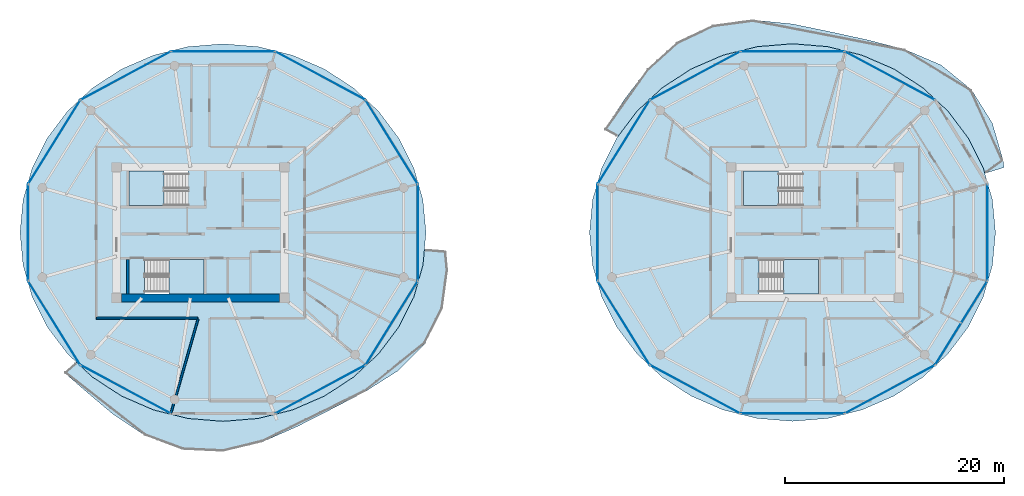
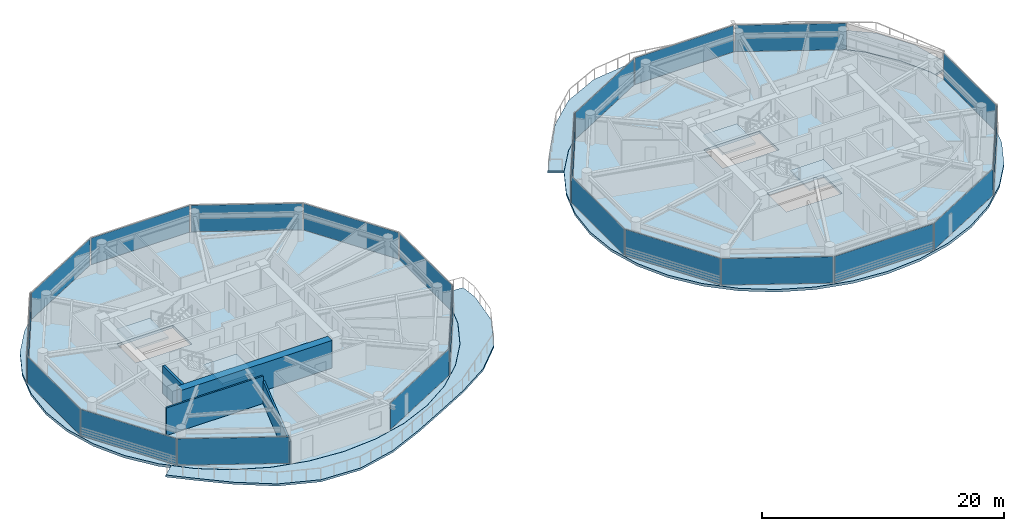
# One storey, part 12 of 24: 22 plates, 8 slabs, 4 walls, 26 elements without a shape of their own.
"""IFC4 building model written with IfcOpenShell, lengths in metres."""

from ifc_helpers import new_model, si_unit, direction, frame, frame_2d, origin, origin_2d, place, context, subcontext, project, spatial, polyline, rectangle, outline, extrude, source, transform, mapped, material, layer, layer_set, type_object, type_shapes, element, aggregate, save


model = new_model("IFC4")

# Units and contexts
model_context = context("Model", 3, precision=1e-05, world=origin(), true_north=direction((0.0, 1.0)))
body_context = subcontext(model_context, "Body", "Model", "MODEL_VIEW")
ifc_project = project(units=[si_unit("LENGTHUNIT", "METRE"), si_unit("AREAUNIT", "SQUARE_METRE"), si_unit("VOLUMEUNIT", "CUBIC_METRE"), si_unit("PLANEANGLEUNIT", "RADIAN"), si_unit("MASSUNIT", "GRAM", prefix="KILO")], contexts=[model_context])

# Site, building, storey
site_placement = place(None, origin())
site = spatial("IfcSite", under=ifc_project, at=site_placement, CompositionType="ELEMENT")
building_placement = place(site_placement, origin())
building = spatial("IfcBuilding", under=site, at=building_placement, Name="Norrkilde Senior Care Towers", CompositionType="ELEMENT")
storey_placement = place(building_placement, frame((0.0, 0.0, 117.60009765625)))
storey = spatial("IfcBuildingStorey", under=building, at=storey_placement, Name="L36", CompositionType="ELEMENT", Elevation=117.60009765625)

# Slabs
ifc_material_1 = material(Name="Concrete C50/60", Category="concrete")
ifc_layer_1 = layer(ifc_material_1, 0.215087890625)
ifc_layer_set_1 = layer_set([ifc_layer_1], Name="Concrete C50/60")
slab_type_1 = type_object("IfcSlabType", Name="Sinusoidal Balcony Ribbon Slab 215", PredefinedType="FLOOR", material=ifc_layer_set_1)
slab_1_placement = place(storey_placement, frame((0.0, 0.0, -0.215087890625)))
element("IfcSlab", 1, at=slab_1_placement, inside=storey, type_object=slab_type_1, Name="L36 Drum W Swirling Senior Balcony 1", PredefinedType="FLOOR", context=body_context, shape_type="SweptSolid", body=[
    extrude(outline(polyline([(-7.521728515625, -10.094482421875), (-10.0419921875, -12.622802734375), (-13.017822265625, -14.509765625), (-16.0595703125, -16.0888671875), (-19.1201171875, -17.6474609375), (-22.385009765625, -19.089111328125), (-25.949951171875, -19.951904296875), (-29.6279296875, -19.77783203125), (-33.0673828125, -18.497314453125), (-36.055908203125, -16.490234375), (-38.6904296875, -14.26416015625), (-40.405029296875, -12.76416015625), (-39.321044921875, -11.80712890625), (-37.8447265625, -13.1796875), (-35.202392578125, -14.89990234375), (-32.279052734375, -16.16748046875), (-29.163330078125, -16.943603515625), (-25.949951171875, -17.205078125), (-22.736572265625, -16.943603515625), (-19.620849609375, -16.16748046875), (-16.697509765625, -14.89990234375), (-14.05517578125, -13.1796875), (-11.7744140625, -11.05908203125), (-9.92431640625, -8.6025390625), (-8.56103515625, -5.884521484375), (-7.72607421875, -2.987548828125), (-7.588134765625, -1.521240234375), (-5.6220703125, -1.68408203125), (-5.458984375, -3.417724609375), (-5.938232421875, -6.911376953125), (-7.521728515625, -10.094482421875)])), origin(), (0.0, 0.0, 1.0), 0.215087890625),
])
slab_2_placement = place(storey_placement, frame((0.0, 0.0, -0.215087890625)))
element("IfcSlab", 2, at=slab_2_placement, inside=storey, type_object=slab_type_1, Name="L36 Drum E Swirling Senior Balcony 1", PredefinedType="FLOOR", context=body_context, shape_type="SweptSolid", body=[
    extrude(outline(polyline([(12.718017578125, 14.89404296875), (15.3984375, 17.3203125), (18.700439453125, 18.887939453125), (22.3388671875, 19.370849609375), (25.949951171875, 19.009765625), (29.3857421875, 18.300537109375), (32.752685546875, 17.56689453125), (36.166748046875, 16.696533203125), (39.479736328125, 15.27587890625), (42.273193359375, 12.99755859375), (44.163818359375, 9.96142578125), (45.138427734375, 6.589111328125), (45.22412109375, 5.93017578125), (43.48046875, 5.393798828125), (43.339111328125, 5.884521484375), (41.975830078125, 8.6025390625), (40.125732421875, 11.05908203125), (37.8447265625, 13.1796875), (35.202392578125, 14.89990234375), (32.279052734375, 16.16748046875), (29.163330078125, 16.943603515625), (25.949951171875, 17.205078125), (22.736572265625, 16.943603515625), (19.620849609375, 16.16748046875), (16.697509765625, 14.89990234375), (14.05517578125, 13.1796875), (11.7744140625, 11.05908203125), (10.009033203125, 8.715087890625), (8.813720703125, 9.36865234375), (10.614501953125, 12.106201171875), (12.718017578125, 14.89404296875)])), origin(), (0.0, 0.0, 1.0), 0.215087890625),
])

# Stair, slab
ifc_material_2 = material(Name="Concrete C45/55", Category="concrete")
stair_type = type_object("IfcStairType", Name="Core Protected Dogleg Stair Typical 3050", PredefinedType="HALF_TURN_STAIR", material=ifc_material_2)
stair_1_placement = place(storey_placement, origin())
stair_1 = element("IfcStair", 3, at=stair_1_placement, inside=storey, type_object=stair_type, Name="L36 Protected Core Stair W1", PredefinedType="HALF_TURN_STAIR")
ifc_layer_2 = layer(ifc_material_2, 0.199951171875)
ifc_layer_set_2 = layer_set([ifc_layer_2], Name="Concrete C45/55")
slab_type_2 = type_object("IfcSlabType", Name="Stair Landing Slab 200", PredefinedType="LANDING", material=ifc_layer_set_2)
slab_3_placement = place(storey_placement, frame((0.0, 0.0, 1.324951171875)))
slab_3 = element("IfcSlab", 4, at=slab_3_placement, type_object=slab_type_2, Name="ST-W1 landing 1", PredefinedType="LANDING", context=body_context, shape_type="SweptSolid", body=[
    extrude(outline(polyline([(-31.340087890625, 5.590087890625), (-34.5, 5.590087890625), (-34.5, 2.449951171875), (-31.340087890625, 2.449951171875), (-31.340087890625, 5.590087890625)])), origin(), (0.0, 0.0, 1.0), 0.199951171875),
])
aggregate(stair_1, [slab_3])

stair_2_placement = place(storey_placement, origin())
stair_2 = element("IfcStair", 5, at=stair_2_placement, inside=storey, type_object=stair_type, Name="L36 Protected Core Stair W2", PredefinedType="HALF_TURN_STAIR")
slab_4_placement = place(storey_placement, frame((0.0, 0.0, 1.324951171875)))
slab_4 = element("IfcSlab", 6, at=slab_4_placement, type_object=slab_type_2, Name="ST-W2 landing 1", PredefinedType="LANDING", context=body_context, shape_type="SweptSolid", body=[
    extrude(outline(polyline([(-30.860107421875, -5.590087890625), (-27.699951171875, -5.590087890625), (-27.699951171875, -2.449951171875), (-30.860107421875, -2.449951171875), (-30.860107421875, -5.590087890625)])), origin(), (0.0, 0.0, 1.0), 0.199951171875),
])
aggregate(stair_2, [slab_4])

stair_3_placement = place(storey_placement, origin())
stair_3 = element("IfcStair", 7, at=stair_3_placement, inside=storey, type_object=stair_type, Name="L36 Protected Core Stair E1", PredefinedType="HALF_TURN_STAIR")
slab_5_placement = place(storey_placement, frame((0.0, 0.0, 1.324951171875)))
slab_5 = element("IfcSlab", 8, at=slab_5_placement, type_object=slab_type_2, Name="ST-E1 landing 1", PredefinedType="LANDING", context=body_context, shape_type="SweptSolid", body=[
    extrude(outline(polyline([(24.659912109375, 5.590087890625), (21.5, 5.590087890625), (21.5, 2.449951171875), (24.659912109375, 2.449951171875), (24.659912109375, 5.590087890625)])), origin(), (0.0, 0.0, 1.0), 0.199951171875),
])
aggregate(stair_3, [slab_5])

stair_4_placement = place(storey_placement, origin())
stair_4 = element("IfcStair", 9, at=stair_4_placement, inside=storey, type_object=stair_type, Name="L36 Protected Core Stair E2", PredefinedType="HALF_TURN_STAIR")
slab_6_placement = place(storey_placement, frame((0.0, 0.0, 1.324951171875)))
slab_6 = element("IfcSlab", 10, at=slab_6_placement, type_object=slab_type_2, Name="ST-E2 landing 1", PredefinedType="LANDING", context=body_context, shape_type="SweptSolid", body=[
    extrude(outline(polyline([(25.139892578125, -5.590087890625), (28.300048828125, -5.590087890625), (28.300048828125, -2.449951171875), (25.139892578125, -2.449951171875), (25.139892578125, -5.590087890625)])), origin(), (0.0, 0.0, 1.0), 0.199951171875),
])
aggregate(stair_4, [slab_6])

# Slabs
ifc_layer_3 = layer(ifc_material_1, 0.260009765625)
ifc_layer_set_3 = layer_set([ifc_layer_3], Name="Concrete C50/60")
slab_type_3 = type_object("IfcSlabType", Name="Tower Care Floor Slab 260", PredefinedType="FLOOR", material=ifc_layer_set_3)
slab_7_placement = place(storey_placement, frame((0.0, 0.0, -0.260009765625)))
element("IfcSlab", 11, at=slab_7_placement, inside=storey, type_object=slab_type_3, Name="L36 Drum W Structural Floor Slab", PredefinedType="FLOOR", context=body_context, shape_type="SweptSolid", body=[
    extrude(outline(polyline([(-8.565673828125, -5.8828125), (-9.928466796875, -8.60009765625), (-11.778076171875, -11.055908203125), (-14.058349609375, -13.176025390625), (-16.699951171875, -14.895751953125), (-19.62255859375, -16.16259765625), (-22.737548828125, -16.938720703125), (-25.949951171875, -17.199951171875), (-29.16259765625, -16.938720703125), (-32.27734375, -16.16259765625), (-35.199951171875, -14.895751953125), (-37.841552734375, -13.176025390625), (-40.121826171875, -11.055908203125), (-41.971435546875, -8.60009765625), (-43.334228515625, -5.8828125), (-44.1689453125, -2.98681640625), (-44.449951171875, 0.0), (-44.1689453125, 2.98681640625), (-43.334228515625, 5.8828125), (-41.971435546875, 8.60009765625), (-40.121826171875, 11.055908203125), (-37.841552734375, 13.176025390625), (-35.199951171875, 14.895751953125), (-32.27734375, 16.16259765625), (-29.16259765625, 16.938720703125), (-25.949951171875, 17.199951171875), (-22.737548828125, 16.938720703125), (-19.62255859375, 16.16259765625), (-16.699951171875, 14.895751953125), (-14.058349609375, 13.176025390625), (-11.778076171875, 11.055908203125), (-9.928466796875, 8.60009765625), (-8.565673828125, 5.8828125), (-7.73095703125, 2.98681640625), (-7.449951171875, 0.0), (-7.73095703125, -2.98681640625), (-8.565673828125, -5.8828125)]), holes=[polyline([(-34.48193359375, 2.468017578125), (-29.117919921875, 2.468017578125), (-29.117919921875, 5.590087890625), (-34.48193359375, 5.590087890625), (-34.48193359375, 2.468017578125)]), polyline([(-27.718017578125, -5.590087890625), (-27.718017578125, -2.468017578125), (-33.08203125, -2.468017578125), (-33.08203125, -5.590087890625), (-27.718017578125, -5.590087890625)])]), origin(), (0.0, 0.0, 1.0), 0.260009765625),
])
slab_8_placement = place(storey_placement, frame((0.0, 0.0, -0.260009765625)))
element("IfcSlab", 12, at=slab_8_placement, inside=storey, type_object=slab_type_3, Name="L36 Drum E Structural Floor Slab", PredefinedType="FLOOR", context=body_context, shape_type="SweptSolid", body=[
    extrude(outline(polyline([(43.334228515625, -5.8828125), (41.971435546875, -8.60009765625), (40.121826171875, -11.055908203125), (37.841552734375, -13.176025390625), (35.199951171875, -14.895751953125), (32.27734375, -16.16259765625), (29.16259765625, -16.938720703125), (25.949951171875, -17.199951171875), (22.737548828125, -16.938720703125), (19.62255859375, -16.16259765625), (16.699951171875, -14.895751953125), (14.058349609375, -13.176025390625), (11.778076171875, -11.055908203125), (9.928466796875, -8.60009765625), (8.565673828125, -5.8828125), (7.73095703125, -2.98681640625), (7.449951171875, 0.0), (7.73095703125, 2.98681640625), (8.565673828125, 5.8828125), (9.928466796875, 8.60009765625), (11.778076171875, 11.055908203125), (14.058349609375, 13.176025390625), (16.699951171875, 14.895751953125), (19.62255859375, 16.16259765625), (22.737548828125, 16.938720703125), (25.949951171875, 17.199951171875), (29.16259765625, 16.938720703125), (32.27734375, 16.16259765625), (35.199951171875, 14.895751953125), (37.841552734375, 13.176025390625), (40.121826171875, 11.055908203125), (41.971435546875, 8.60009765625), (43.334228515625, 5.8828125), (44.1689453125, 2.98681640625), (44.449951171875, 0.0), (44.1689453125, -2.98681640625), (43.334228515625, -5.8828125)]), holes=[polyline([(21.51806640625, 2.468017578125), (26.882080078125, 2.468017578125), (26.882080078125, 5.590087890625), (21.51806640625, 5.590087890625), (21.51806640625, 2.468017578125)]), polyline([(28.281982421875, -5.590087890625), (28.281982421875, -2.468017578125), (22.91796875, -2.468017578125), (22.91796875, -5.590087890625), (28.281982421875, -5.590087890625)])]), origin(), (0.0, 0.0, 1.0), 0.260009765625),
])

# Curtain wall, plate
ifc_material_3 = material(Name="Triple Low-E Insulated Glazing", Category="glass")
ifc_layer_4 = layer(ifc_material_3, 0.195068359375)
ifc_layer_set_4 = layer_set([ifc_layer_4], Name="Triple Low-E Insulated Glazing")
curtain_wall_type = type_object("IfcCurtainWallType", Name="CW3 Zone 2 Assisted Living Curtain Wall", PredefinedType="NOTDEFINED", material=ifc_layer_set_4)
curtain_wall_1_placement = place(storey_placement, origin())
curtain_wall_1 = element("IfcCurtainWall", 13, at=curtain_wall_1_placement, inside=storey, type_object=curtain_wall_type, Name="L36 Drum W Curtain Wall 00", PredefinedType="NOTDEFINED")
ifc_layer_5 = layer(ifc_material_3, 0.035888671875)
ifc_layer_set_5 = layer_set([ifc_layer_5], Name="Triple Low-E Insulated Glazing")
plate_type = type_object("IfcPlateType", Name="Triple Low-E Vision Curtain Panel 36", PredefinedType="CURTAIN_PANEL", material=ifc_layer_set_5)
shared_shape_1 = source(origin(), body_context, "Body", "SweptSolid", [
    extrude(rectangle(XDim=8.88427734375, YDim=0.035888671875, at=origin_2d()), origin(), (0.0, 0.0, 1.0), 2.669921875),
])
plate_1_placement = place(storey_placement, frame((-10.574951171875, 8.2490234375, 0.06005859375), z_axis=(0.0, 0.0, 1.0), x_axis=(0.527733228002, -0.849410171862, 0.0)))
plate_1 = element("IfcPlate", 14, at=plate_1_placement, type_object=plate_type, Name="CW-3 panel 1.1", PredefinedType="CURTAIN_PANEL", context=body_context, shape_type="MappedRepresentation", body=[
    mapped(shared_shape_1, transform((0.0, 0.0, 0.0), x_axis=(1.0, 0.0, 0.0), y_axis=(0.0, 1.0, 0.0), z_axis=(0.0, 0.0, 1.0), scale=1.0)),
])
aggregate(curtain_wall_1, [plate_1])

curtain_wall_2_placement = place(storey_placement, origin())
curtain_wall_2 = element("IfcCurtainWall", 15, at=curtain_wall_2_placement, inside=storey, type_object=curtain_wall_type, Name="L36 Drum W Curtain Wall 04", PredefinedType="NOTDEFINED")
plate_2_placement = place(storey_placement, frame((-41.3251953125, 8.2490234375, 0.06005859375), z_axis=(0.0, 0.0, 1.0), x_axis=(0.527733228002, 0.849410171862, 0.0)))
plate_2 = element("IfcPlate", 16, at=plate_2_placement, type_object=plate_type, Name="CW-3 panel 1.1", PredefinedType="CURTAIN_PANEL", context=body_context, shape_type="MappedRepresentation", body=[
    mapped(shared_shape_1, transform((0.0, 0.0, 0.0), x_axis=(1.0, 0.0, 0.0), y_axis=(0.0, 1.0, 0.0), z_axis=(0.0, 0.0, 1.0), scale=1.0)),
])
aggregate(curtain_wall_2, [plate_2])

curtain_wall_3_placement = place(storey_placement, origin())
curtain_wall_3 = element("IfcCurtainWall", 17, at=curtain_wall_3_placement, inside=storey, type_object=curtain_wall_type, Name="L36 Drum W Curtain Wall 06", PredefinedType="NOTDEFINED")
plate_3_placement = place(storey_placement, frame((-41.3251953125, -8.2490234375, 0.06005859375), z_axis=(0.0, 0.0, 1.0), x_axis=(-0.527733228002, 0.849410171862, 0.0)))
plate_3 = element("IfcPlate", 18, at=plate_3_placement, type_object=plate_type, Name="CW-3 panel 1.1", PredefinedType="CURTAIN_PANEL", context=body_context, shape_type="MappedRepresentation", body=[
    mapped(shared_shape_1, transform((0.0, 0.0, 0.0), x_axis=(1.0, 0.0, 0.0), y_axis=(0.0, 1.0, 0.0), z_axis=(0.0, 0.0, 1.0), scale=1.0)),
])
aggregate(curtain_wall_3, [plate_3])

curtain_wall_4_placement = place(storey_placement, origin())
curtain_wall_4 = element("IfcCurtainWall", 19, at=curtain_wall_4_placement, inside=storey, type_object=curtain_wall_type, Name="L36 Drum W Curtain Wall 10", PredefinedType="NOTDEFINED")
plate_4_placement = place(storey_placement, frame((-10.574951171875, -8.2490234375, 0.06005859375), z_axis=(0.0, 0.0, 1.0), x_axis=(-0.527733228002, -0.849410171862, 0.0)))
plate_4 = element("IfcPlate", 20, at=plate_4_placement, type_object=plate_type, Name="CW-3 panel 1.1", PredefinedType="CURTAIN_PANEL", context=body_context, shape_type="MappedRepresentation", body=[
    mapped(shared_shape_1, transform((0.0, 0.0, 0.0), x_axis=(1.0, 0.0, 0.0), y_axis=(0.0, 1.0, 0.0), z_axis=(0.0, 0.0, 1.0), scale=1.0)),
])
aggregate(curtain_wall_4, [plate_4])

curtain_wall_5_placement = place(storey_placement, origin())
curtain_wall_5 = element("IfcCurtainWall", 21, at=curtain_wall_5_placement, inside=storey, type_object=curtain_wall_type, Name="L36 Drum E Curtain Wall 04", PredefinedType="NOTDEFINED")
plate_5_placement = place(storey_placement, frame((10.574951171875, 8.2490234375, 0.06005859375), z_axis=(0.0, 0.0, 1.0), x_axis=(0.527733228002, 0.849410171862, 0.0)))
plate_5 = element("IfcPlate", 22, at=plate_5_placement, type_object=plate_type, Name="CW-3 panel 1.1", PredefinedType="CURTAIN_PANEL", context=body_context, shape_type="MappedRepresentation", body=[
    mapped(shared_shape_1, transform((0.0, 0.0, 0.0), x_axis=(1.0, 0.0, 0.0), y_axis=(0.0, 1.0, 0.0), z_axis=(0.0, 0.0, 1.0), scale=1.0)),
])
aggregate(curtain_wall_5, [plate_5])

curtain_wall_6_placement = place(storey_placement, origin())
curtain_wall_6 = element("IfcCurtainWall", 23, at=curtain_wall_6_placement, inside=storey, type_object=curtain_wall_type, Name="L36 Drum E Curtain Wall 06", PredefinedType="NOTDEFINED")
plate_6_placement = place(storey_placement, frame((10.574951171875, -8.2490234375, 0.06005859375), z_axis=(0.0, 0.0, 1.0), x_axis=(-0.527733228002, 0.849410171862, 0.0)))
plate_6 = element("IfcPlate", 24, at=plate_6_placement, type_object=plate_type, Name="CW-3 panel 1.1", PredefinedType="CURTAIN_PANEL", context=body_context, shape_type="MappedRepresentation", body=[
    mapped(shared_shape_1, transform((0.0, 0.0, 0.0), x_axis=(1.0, 0.0, 0.0), y_axis=(0.0, 1.0, 0.0), z_axis=(0.0, 0.0, 1.0), scale=1.0)),
])
aggregate(curtain_wall_6, [plate_6])

curtain_wall_7_placement = place(storey_placement, origin())
curtain_wall_7 = element("IfcCurtainWall", 25, at=curtain_wall_7_placement, inside=storey, type_object=curtain_wall_type, Name="L36 Drum E Curtain Wall 10", PredefinedType="NOTDEFINED")
plate_7_placement = place(storey_placement, frame((41.3251953125, -8.2490234375, 0.06005859375), z_axis=(0.0, 0.0, 1.0), x_axis=(-0.527733228002, -0.849410171862, 0.0)))
plate_7 = element("IfcPlate", 26, at=plate_7_placement, type_object=plate_type, Name="CW-3 panel 1.1", PredefinedType="CURTAIN_PANEL", context=body_context, shape_type="MappedRepresentation", body=[
    mapped(shared_shape_1, transform((0.0, 0.0, 0.0), x_axis=(1.0, 0.0, 0.0), y_axis=(0.0, 1.0, 0.0), z_axis=(0.0, 0.0, 1.0), scale=1.0)),
])
aggregate(curtain_wall_7, [plate_7])

curtain_wall_8_placement = place(storey_placement, origin())
curtain_wall_8 = element("IfcCurtainWall", 27, at=curtain_wall_8_placement, inside=storey, type_object=curtain_wall_type, Name="L36 Drum W Curtain Wall 01", PredefinedType="NOTDEFINED")
shared_shape_2 = source(origin(), body_context, "Body", "SweptSolid", [
    extrude(rectangle(XDim=9.220458984375, YDim=0.035888671875, at=origin_2d()), origin(), (0.0, 0.0, 1.0), 2.669921875),
])
plate_8_placement = place(storey_placement, frame((-17.0732421875, 14.28759765625, 0.06005859375), z_axis=(0.0, 0.0, 1.0), x_axis=(0.881186184668, -0.472769402511, 0.0)))
plate_8 = element("IfcPlate", 28, at=plate_8_placement, type_object=plate_type, Name="CW-3 panel 1.1", PredefinedType="CURTAIN_PANEL", context=body_context, shape_type="MappedRepresentation", body=[
    mapped(shared_shape_2, transform((0.0, 0.0, 0.0), x_axis=(1.0, 0.0, 0.0), y_axis=(0.0, 1.0, 0.0), z_axis=(0.0, 0.0, 1.0), scale=1.0)),
])
aggregate(curtain_wall_8, [plate_8])

curtain_wall_9_placement = place(storey_placement, origin())
curtain_wall_9 = element("IfcCurtainWall", 29, at=curtain_wall_9_placement, inside=storey, type_object=curtain_wall_type, Name="L36 Drum W Curtain Wall 03", PredefinedType="NOTDEFINED")
plate_9_placement = place(storey_placement, frame((-34.826904296875, 14.28759765625, 0.06005859375), z_axis=(0.0, 0.0, 1.0), x_axis=(0.881186184668, 0.472769402511, 0.0)))
plate_9 = element("IfcPlate", 30, at=plate_9_placement, type_object=plate_type, Name="CW-3 panel 1.1", PredefinedType="CURTAIN_PANEL", context=body_context, shape_type="MappedRepresentation", body=[
    mapped(shared_shape_2, transform((0.0, 0.0, 0.0), x_axis=(1.0, 0.0, 0.0), y_axis=(0.0, 1.0, 0.0), z_axis=(0.0, 0.0, 1.0), scale=1.0)),
])
aggregate(curtain_wall_9, [plate_9])

curtain_wall_10_placement = place(storey_placement, origin())
curtain_wall_10 = element("IfcCurtainWall", 31, at=curtain_wall_10_placement, inside=storey, type_object=curtain_wall_type, Name="L36 Drum W Curtain Wall 07", PredefinedType="NOTDEFINED")
plate_10_placement = place(storey_placement, frame((-34.826904296875, -14.28759765625, 0.06005859375), z_axis=(0.0, 0.0, 1.0), x_axis=(-0.881186184668, 0.472769402511, 0.0)))
plate_10 = element("IfcPlate", 32, at=plate_10_placement, type_object=plate_type, Name="CW-3 panel 1.1", PredefinedType="CURTAIN_PANEL", context=body_context, shape_type="MappedRepresentation", body=[
    mapped(shared_shape_2, transform((0.0, 0.0, 0.0), x_axis=(1.0, 0.0, 0.0), y_axis=(0.0, 1.0, 0.0), z_axis=(0.0, 0.0, 1.0), scale=1.0)),
])
aggregate(curtain_wall_10, [plate_10])

curtain_wall_11_placement = place(storey_placement, origin())
curtain_wall_11 = element("IfcCurtainWall", 33, at=curtain_wall_11_placement, inside=storey, type_object=curtain_wall_type, Name="L36 Drum W Curtain Wall 09", PredefinedType="NOTDEFINED")
plate_11_placement = place(storey_placement, frame((-17.0732421875, -14.28759765625, 0.06005859375), z_axis=(0.0, 0.0, 1.0), x_axis=(-0.881186184668, -0.472769402511, 0.0)))
plate_11 = element("IfcPlate", 34, at=plate_11_placement, type_object=plate_type, Name="CW-3 panel 1.1", PredefinedType="CURTAIN_PANEL", context=body_context, shape_type="MappedRepresentation", body=[
    mapped(shared_shape_2, transform((0.0, 0.0, 0.0), x_axis=(1.0, 0.0, 0.0), y_axis=(0.0, 1.0, 0.0), z_axis=(0.0, 0.0, 1.0), scale=1.0)),
])
aggregate(curtain_wall_11, [plate_11])

curtain_wall_12_placement = place(storey_placement, origin())
curtain_wall_12 = element("IfcCurtainWall", 35, at=curtain_wall_12_placement, inside=storey, type_object=curtain_wall_type, Name="L36 Drum E Curtain Wall 01", PredefinedType="NOTDEFINED")
plate_12_placement = place(storey_placement, frame((34.826904296875, 14.28759765625, 0.06005859375), z_axis=(0.0, 0.0, 1.0), x_axis=(0.881186184668, -0.472769402511, 0.0)))
plate_12 = element("IfcPlate", 36, at=plate_12_placement, type_object=plate_type, Name="CW-3 panel 1.1", PredefinedType="CURTAIN_PANEL", context=body_context, shape_type="MappedRepresentation", body=[
    mapped(shared_shape_2, transform((0.0, 0.0, 0.0), x_axis=(1.0, 0.0, 0.0), y_axis=(0.0, 1.0, 0.0), z_axis=(0.0, 0.0, 1.0), scale=1.0)),
])
aggregate(curtain_wall_12, [plate_12])

curtain_wall_13_placement = place(storey_placement, origin())
curtain_wall_13 = element("IfcCurtainWall", 37, at=curtain_wall_13_placement, inside=storey, type_object=curtain_wall_type, Name="L36 Drum E Curtain Wall 03", PredefinedType="NOTDEFINED")
plate_13_placement = place(storey_placement, frame((17.0732421875, 14.28759765625, 0.06005859375), z_axis=(0.0, 0.0, 1.0), x_axis=(0.881186184668, 0.472769402511, 0.0)))
plate_13 = element("IfcPlate", 38, at=plate_13_placement, type_object=plate_type, Name="CW-3 panel 1.1", PredefinedType="CURTAIN_PANEL", context=body_context, shape_type="MappedRepresentation", body=[
    mapped(shared_shape_2, transform((0.0, 0.0, 0.0), x_axis=(1.0, 0.0, 0.0), y_axis=(0.0, 1.0, 0.0), z_axis=(0.0, 0.0, 1.0), scale=1.0)),
])
aggregate(curtain_wall_13, [plate_13])

curtain_wall_14_placement = place(storey_placement, origin())
curtain_wall_14 = element("IfcCurtainWall", 39, at=curtain_wall_14_placement, inside=storey, type_object=curtain_wall_type, Name="L36 Drum E Curtain Wall 07", PredefinedType="NOTDEFINED")
plate_14_placement = place(storey_placement, frame((17.0732421875, -14.28759765625, 0.06005859375), z_axis=(0.0, 0.0, 1.0), x_axis=(-0.881186184668, 0.472769402511, 0.0)))
plate_14 = element("IfcPlate", 40, at=plate_14_placement, type_object=plate_type, Name="CW-3 panel 1.1", PredefinedType="CURTAIN_PANEL", context=body_context, shape_type="MappedRepresentation", body=[
    mapped(shared_shape_2, transform((0.0, 0.0, 0.0), x_axis=(1.0, 0.0, 0.0), y_axis=(0.0, 1.0, 0.0), z_axis=(0.0, 0.0, 1.0), scale=1.0)),
])
aggregate(curtain_wall_14, [plate_14])

curtain_wall_15_placement = place(storey_placement, origin())
curtain_wall_15 = element("IfcCurtainWall", 41, at=curtain_wall_15_placement, inside=storey, type_object=curtain_wall_type, Name="L36 Drum E Curtain Wall 09", PredefinedType="NOTDEFINED")
plate_15_placement = place(storey_placement, frame((34.826904296875, -14.28759765625, 0.06005859375), z_axis=(0.0, 0.0, 1.0), x_axis=(-0.881186184668, -0.472769402511, 0.0)))
plate_15 = element("IfcPlate", 42, at=plate_15_placement, type_object=plate_type, Name="CW-3 panel 1.1", PredefinedType="CURTAIN_PANEL", context=body_context, shape_type="MappedRepresentation", body=[
    mapped(shared_shape_2, transform((0.0, 0.0, 0.0), x_axis=(1.0, 0.0, 0.0), y_axis=(0.0, 1.0, 0.0), z_axis=(0.0, 0.0, 1.0), scale=1.0)),
])
aggregate(curtain_wall_15, [plate_15])

curtain_wall_16_placement = place(storey_placement, origin())
curtain_wall_16 = element("IfcCurtainWall", 43, at=curtain_wall_16_placement, inside=storey, type_object=curtain_wall_type, Name="L36 Drum W Curtain Wall 02", PredefinedType="NOTDEFINED")
shared_shape_3 = source(origin(), body_context, "Body", "SweptSolid", [
    extrude(rectangle(XDim=9.38427734375, YDim=0.035888671875, at=origin_2d()), origin(), (0.0, 0.0, 1.0), 2.669921875),
])
plate_16_placement = place(storey_placement, frame((-25.949951171875, 16.498046875, 0.06005859375), z_axis=(0.0, 0.0, 1.0), x_axis=(1.0, 0.0, 0.0)))
plate_16 = element("IfcPlate", 44, at=plate_16_placement, type_object=plate_type, Name="CW-3 panel 1.1", PredefinedType="CURTAIN_PANEL", context=body_context, shape_type="MappedRepresentation", body=[
    mapped(shared_shape_3, transform((0.0, 0.0, 0.0), x_axis=(1.0, 0.0, 0.0), y_axis=(0.0, 1.0, 0.0), z_axis=(0.0, 0.0, 1.0), scale=1.0)),
])
aggregate(curtain_wall_16, [plate_16])

curtain_wall_17_placement = place(storey_placement, origin())
curtain_wall_17 = element("IfcCurtainWall", 45, at=curtain_wall_17_placement, inside=storey, type_object=curtain_wall_type, Name="L36 Drum E Curtain Wall 02", PredefinedType="NOTDEFINED")
plate_17_placement = place(storey_placement, frame((25.949951171875, 16.498046875, 0.06005859375), z_axis=(0.0, 0.0, 1.0), x_axis=(1.0, 0.0, 0.0)))
plate_17 = element("IfcPlate", 46, at=plate_17_placement, type_object=plate_type, Name="CW-3 panel 1.1", PredefinedType="CURTAIN_PANEL", context=body_context, shape_type="MappedRepresentation", body=[
    mapped(shared_shape_3, transform((0.0, 0.0, 0.0), x_axis=(1.0, 0.0, 0.0), y_axis=(0.0, 1.0, 0.0), z_axis=(0.0, 0.0, 1.0), scale=1.0)),
])
aggregate(curtain_wall_17, [plate_17])

curtain_wall_18_placement = place(storey_placement, origin())
curtain_wall_18 = element("IfcCurtainWall", 47, at=curtain_wall_18_placement, inside=storey, type_object=curtain_wall_type, Name="L36 Drum E Curtain Wall 08", PredefinedType="NOTDEFINED")
plate_18_placement = place(storey_placement, frame((25.949951171875, -16.498046875, 0.06005859375), z_axis=(0.0, 0.0, 1.0), x_axis=(-1.0, 0.0, 0.0)))
plate_18 = element("IfcPlate", 48, at=plate_18_placement, type_object=plate_type, Name="CW-3 panel 1.1", PredefinedType="CURTAIN_PANEL", context=body_context, shape_type="MappedRepresentation", body=[
    mapped(shared_shape_3, transform((0.0, 0.0, 0.0), x_axis=(1.0, 0.0, 0.0), y_axis=(0.0, 1.0, 0.0), z_axis=(0.0, 0.0, 1.0), scale=1.0)),
])
aggregate(curtain_wall_18, [plate_18])

curtain_wall_19_placement = place(storey_placement, origin())
curtain_wall_19 = element("IfcCurtainWall", 49, at=curtain_wall_19_placement, inside=storey, type_object=curtain_wall_type, Name="L36 Drum W Curtain Wall 05", PredefinedType="NOTDEFINED")
shared_shape_4 = source(origin(), body_context, "Body", "SweptSolid", [
    extrude(rectangle(XDim=8.711181640625, YDim=0.035888671875, at=origin_2d()), origin(), (0.0, 0.0, 1.0), 2.669921875),
])
type_shapes(plate_type, [shared_shape_1, shared_shape_2, shared_shape_3, shared_shape_4])
plate_19_placement = place(storey_placement, frame((-43.70361328125, 0.0, 0.06005859375), z_axis=(0.0, 0.0, 1.0), x_axis=(0.0, 1.0, 0.0)))
plate_19 = element("IfcPlate", 50, at=plate_19_placement, type_object=plate_type, Name="CW-3 panel 1.1", PredefinedType="CURTAIN_PANEL", context=body_context, shape_type="MappedRepresentation", body=[
    mapped(shared_shape_4, transform((0.0, 0.0, 0.0), x_axis=(1.0, 0.0, 0.0), y_axis=(0.0, 1.0, 0.0), z_axis=(0.0, 0.0, 1.0), scale=1.0)),
])
aggregate(curtain_wall_19, [plate_19])

curtain_wall_20_placement = place(storey_placement, origin())
curtain_wall_20 = element("IfcCurtainWall", 51, at=curtain_wall_20_placement, inside=storey, type_object=curtain_wall_type, Name="L36 Drum W Curtain Wall 11", PredefinedType="NOTDEFINED")
plate_20_placement = place(storey_placement, frame((-8.1962890625, 0.0, 0.06005859375), z_axis=(0.0, 0.0, 1.0), x_axis=(0.0, -1.0, 0.0)))
plate_20 = element("IfcPlate", 52, at=plate_20_placement, type_object=plate_type, Name="CW-3 panel 1.1", PredefinedType="CURTAIN_PANEL", context=body_context, shape_type="MappedRepresentation", body=[
    mapped(shared_shape_4, transform((0.0, 0.0, 0.0), x_axis=(1.0, 0.0, 0.0), y_axis=(0.0, 1.0, 0.0), z_axis=(0.0, 0.0, 1.0), scale=1.0)),
])
aggregate(curtain_wall_20, [plate_20])

curtain_wall_21_placement = place(storey_placement, origin())
curtain_wall_21 = element("IfcCurtainWall", 53, at=curtain_wall_21_placement, inside=storey, type_object=curtain_wall_type, Name="L36 Drum E Curtain Wall 05", PredefinedType="NOTDEFINED")
plate_21_placement = place(storey_placement, frame((8.1962890625, 0.0, 0.06005859375), z_axis=(0.0, 0.0, 1.0), x_axis=(0.0, 1.0, 0.0)))
plate_21 = element("IfcPlate", 54, at=plate_21_placement, type_object=plate_type, Name="CW-3 panel 1.1", PredefinedType="CURTAIN_PANEL", context=body_context, shape_type="MappedRepresentation", body=[
    mapped(shared_shape_4, transform((0.0, 0.0, 0.0), x_axis=(1.0, 0.0, 0.0), y_axis=(0.0, 1.0, 0.0), z_axis=(0.0, 0.0, 1.0), scale=1.0)),
])
aggregate(curtain_wall_21, [plate_21])

curtain_wall_22_placement = place(storey_placement, origin())
curtain_wall_22 = element("IfcCurtainWall", 55, at=curtain_wall_22_placement, inside=storey, type_object=curtain_wall_type, Name="L36 Drum E Curtain Wall 11", PredefinedType="NOTDEFINED")
plate_22_placement = place(storey_placement, frame((43.70361328125, 0.0, 0.06005859375), z_axis=(0.0, 0.0, 1.0), x_axis=(0.0, -1.0, 0.0)))
plate_22 = element("IfcPlate", 56, at=plate_22_placement, type_object=plate_type, Name="CW-3 panel 1.1", PredefinedType="CURTAIN_PANEL", context=body_context, shape_type="MappedRepresentation", body=[
    mapped(shared_shape_4, transform((0.0, 0.0, 0.0), x_axis=(1.0, 0.0, 0.0), y_axis=(0.0, 1.0, 0.0), z_axis=(0.0, 0.0, 1.0), scale=1.0)),
])
aggregate(curtain_wall_22, [plate_22])

# Walls
ifc_material_4 = material(Name="Concrete C60/75", Category="concrete")
ifc_layer_6 = layer(ifc_material_4, 0.719970703125)
ifc_layer_set_6 = layer_set([ifc_layer_6], Name="Concrete C60/75")
wall_type_1 = type_object("IfcWallType", Name="Core Shear Wall Z2 720", PredefinedType="SHEAR", material=ifc_layer_set_6)
shared_shape_5 = source(origin(), body_context, "Body", "SweptSolid", [
    extrude(rectangle(XDim=14.39990234375, YDim=0.719970703125, at=frame_2d((7.199951171875, 0.0))), origin(), (0.0, 0.0, 1.0), 2.789794921875),
])
type_shapes(wall_type_1, [shared_shape_5])
wall_1_placement = place(storey_placement, frame((-20.800048828125, -5.949951171875, 0.0), z_axis=(0.0, 0.0, 1.0), x_axis=(-1.0, 0.0, 0.0)))
element("IfcWall", 57, at=wall_1_placement, inside=storey, type_object=wall_type_1, Name="L36 Core W South Shear Wall", PredefinedType="SHEAR", context=body_context, shape_type="MappedRepresentation", body=[
    mapped(shared_shape_5, transform((0.0, 0.0, 0.0), x_axis=(1.0, 0.0, 0.0), y_axis=(0.0, 1.0, 0.0), z_axis=(0.0, 0.0, 1.0), scale=1.0)),
])
ifc_material_5 = material(Name="Gypsum Acoustic Board")
ifc_layer_7 = layer(ifc_material_5, 0.1650390625)
ifc_layer_set_7 = layer_set([ifc_layer_7], Name="Gypsum Acoustic Board")
wall_type_2 = type_object("IfcWallType", Name="Corridor Rated Partition 165", PredefinedType="PARTITIONING", material=ifc_layer_set_7)
shared_shape_6 = source(origin(), body_context, "Body", "SweptSolid", [
    extrude(rectangle(XDim=9.234130859375, YDim=0.1650390625, at=frame_2d((4.6171875, 0.0))), origin(), (0.0, 0.0, 1.0), 2.77490234375),
])
wall_2_placement = place(storey_placement, frame((-28.265869140625, -7.800048828125, 0.0), z_axis=(0.0, 0.0, 1.0), x_axis=(-1.0, 0.0, 0.0)))
element("IfcWall", 58, at=wall_2_placement, inside=storey, type_object=wall_type_2, Name="WL-INT-L36-W-CRW-S-1", PredefinedType="PARTITIONING", context=body_context, shape_type="MappedRepresentation", body=[
    mapped(shared_shape_6, transform((0.0, 0.0, 0.0), x_axis=(1.0, 0.0, 0.0), y_axis=(0.0, 1.0, 0.0), z_axis=(0.0, 0.0, 1.0), scale=1.0)),
])
shared_shape_7 = source(origin(), body_context, "Body", "SweptSolid", [
    extrude(rectangle(XDim=8.9892578125, YDim=0.1650390625, at=frame_2d((4.49462890625, 0.0))), origin(), (0.0, 0.0, 1.0), 2.27490234375),
])
type_shapes(wall_type_2, [shared_shape_6, shared_shape_7])
wall_3_placement = place(storey_placement, frame((-28.221923828125, -7.8798828125, 0.0), z_axis=(0.0, 0.0, 1.0), x_axis=(-0.27702323008, -0.960863221274, 0.0)))
element("IfcWall", 59, at=wall_3_placement, inside=storey, type_object=wall_type_2, Name="WL-INT-L36-W-DEM-08-0", PredefinedType="PARTITIONING", context=body_context, shape_type="MappedRepresentation", body=[
    mapped(shared_shape_7, transform((0.0, 0.0, 0.0), x_axis=(1.0, 0.0, 0.0), y_axis=(0.0, 1.0, 0.0), z_axis=(0.0, 0.0, 1.0), scale=1.0)),
])
ifc_layer_8 = layer(ifc_material_2, 0.239990234375)
ifc_layer_set_8 = layer_set([ifc_layer_8], Name="Concrete C45/55")
wall_type_3 = type_object("IfcWallType", Name="Shaft and Stair Enclosure Wall 240", PredefinedType="PARTITIONING", material=ifc_layer_set_8)
shared_shape_8 = source(origin(), body_context, "Body", "SweptSolid", [
    extrude(rectangle(XDim=3.14013671875, YDim=0.239990234375, at=frame_2d((1.570068359375, 0.0))), origin(), (0.0, 0.0, 1.0), 2.789794921875),
])
type_shapes(wall_type_3, [shared_shape_8])
wall_4_placement = place(storey_placement, frame((-34.6201171875, -5.590087890625, 0.0), z_axis=(0.0, 0.0, 1.0), x_axis=(0.0, 1.0, 0.0)))
element("IfcWall", 60, at=wall_4_placement, inside=storey, type_object=wall_type_3, Name="WL-INT-L36-W-ST2W", PredefinedType="PARTITIONING", context=body_context, shape_type="MappedRepresentation", body=[
    mapped(shared_shape_8, transform((0.0, 0.0, 0.0), x_axis=(1.0, 0.0, 0.0), y_axis=(0.0, 1.0, 0.0), z_axis=(0.0, 0.0, 1.0), scale=1.0)),
])

save(model, "model.ifc")
